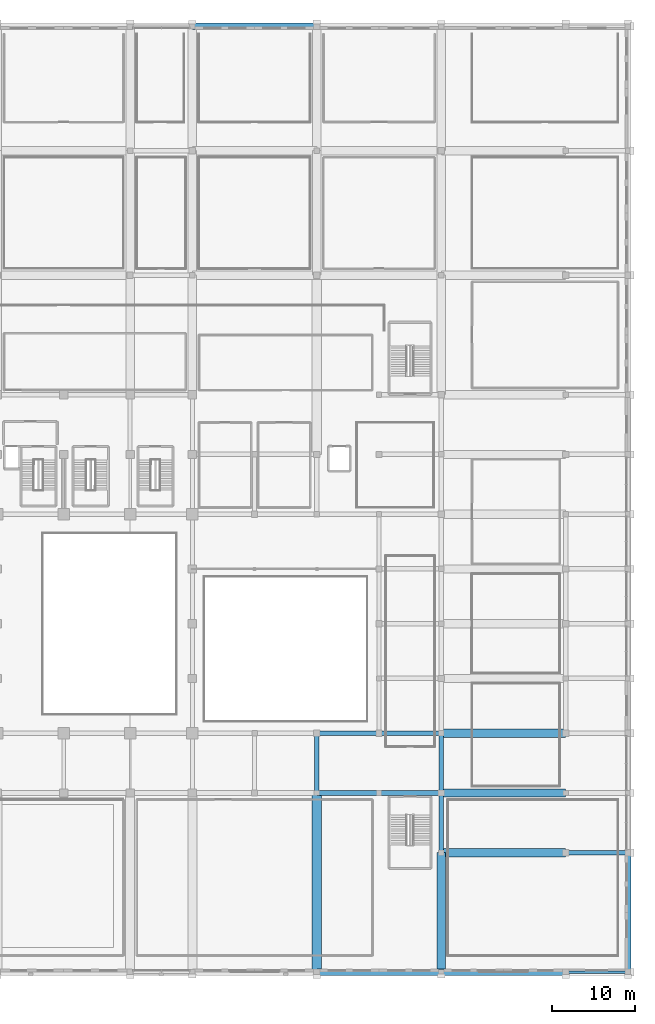
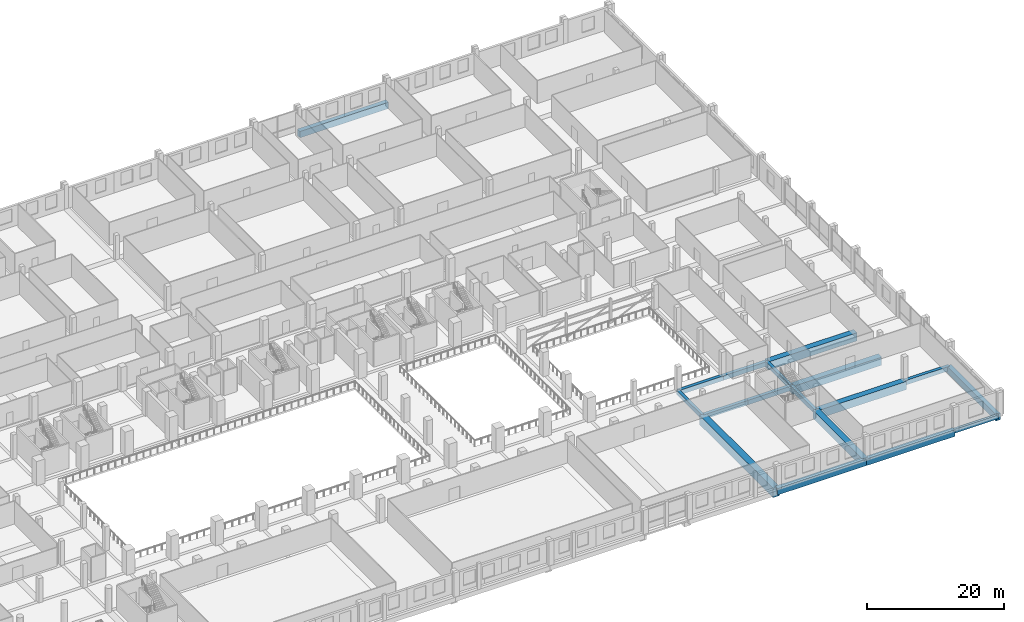
# One storey, part 31 of 64: 18 beams.
"""IFC4 building model written with IfcOpenShell, lengths in metres."""

from ifc_helpers import new_model, si_unit, direction, frame, origin, origin_2d, place, context, subcontext, project, spatial, rectangle, extrude, material, material_profile, profile_set, type_object, element, save


model = new_model("IFC4")

# Units and contexts
model_context = context("Model", 3, precision=1e-05, world=origin(), true_north=direction((0.0, 1.0)))
body_context = subcontext(model_context, "Body", "Model", "MODEL_VIEW")
ifc_project = project(units=[si_unit("LENGTHUNIT", "METRE"), si_unit("AREAUNIT", "SQUARE_METRE"), si_unit("VOLUMEUNIT", "CUBIC_METRE"), si_unit("PLANEANGLEUNIT", "RADIAN"), si_unit("MASSUNIT", "GRAM", prefix="KILO")], contexts=[model_context])

# Site, building, storey
site_placement = place(None, origin())
site = spatial("IfcSite", under=ifc_project, at=site_placement, CompositionType="ELEMENT")
building_placement = place(site_placement, origin())
building = spatial("IfcBuilding", under=site, at=building_placement, Name="Akrevak Sports Hall", CompositionType="ELEMENT")
storey_placement = place(building_placement, frame((0.0, 0.0, 4.60009765625)))
storey = spatial("IfcBuildingStorey", under=building, at=storey_placement, Name="L01", CompositionType="ELEMENT", Elevation=4.60009765625)

# Beams
ifc_material_1 = material(Name="Concrete C50/60", Category="concrete")
ifc_material_profile_1 = material_profile(ifc_material_1, rectangle(XDim=1.0, YDim=1.449951171875, at=origin_2d()), Name="BM 1000x1450", Category="concrete")
ifc_profile_set_1 = profile_set([ifc_material_profile_1], Name="Concrete C50/60")
beam_type_1 = type_object("IfcBeamType", Name="STR-BM-LG1000x1450", PredefinedType="BEAM", material=ifc_profile_set_1)
for number, where, z_axis, x_axis, name in (
    (1, (145.5, 14.39990234375, -0.72509765625), (1.0, 0.0, 0.0), (0.0, 1.0, 0.0), "Girder C/20-22 (L01)"),
    (2, (145.5, 21.60009765625, -0.72509765625), (1.0, 0.0, 0.0), (0.0, 1.0, 0.0), "Girder D/20-22 (L01)"),
    (3, (145.5, 28.800048828125, -0.72509765625), (1.0, 0.0, 0.0), (0.0, 1.0, 0.0), "Girder E/20-22 (L01)"),
):
    element("IfcBeam", number, at=place(storey_placement, frame(where, z_axis=z_axis, x_axis=x_axis)), inside=storey, type_object=beam_type_1, Name=name, PredefinedType="BEAM", context=body_context, shape_type="SweptSolid", body=[
        extrude(rectangle(XDim=1.0, YDim=1.449951171875, at=origin_2d()), origin(), (0.0, 0.0, 1.0), 15.0),
    ])
beam_1_placement = place(storey_placement, frame((145.5, 0.0, -0.72509765625), z_axis=(0.0, 1.0, 0.0), x_axis=(-1.0, 0.0, 0.0)))
element("IfcBeam", 4, at=beam_1_placement, inside=storey, type_object=beam_type_1, Name="Girder 20/A-C (L01)", PredefinedType="BEAM", context=body_context, shape_type="SweptSolid", body=[
    extrude(rectangle(XDim=1.0, YDim=1.449951171875, at=origin_2d()), origin(), (0.0, 0.0, 1.0), 14.39990234375),
])
ifc_material_profile_2 = material_profile(ifc_material_1, rectangle(XDim=1.10009765625, YDim=1.64990234375, at=origin_2d()), Name="BM 1100x1650", Category="concrete")
ifc_profile_set_2 = profile_set([ifc_material_profile_2], Name="Concrete C50/60")
beam_type_2 = type_object("IfcBeamType", Name="STR-BM-LG1100x1650", PredefinedType="BEAM", material=ifc_profile_set_2)
beam_2_placement = place(storey_placement, frame((130.5, 0.0, -0.8251953125), z_axis=(0.0, 1.0, 0.0), x_axis=(-1.0, 0.0, 0.0)))
element("IfcBeam", 5, at=beam_2_placement, inside=storey, type_object=beam_type_2, Name="Girder 18/A-D (L01)", PredefinedType="BEAM", context=body_context, shape_type="SweptSolid", body=[
    extrude(rectangle(XDim=1.10009765625, YDim=1.64990234375, at=origin_2d()), origin(), (0.0, 0.0, 1.0), 21.60009765625),
])
ifc_material_2 = material(Name="Concrete C40/50", Category="concrete")
ifc_material_profile_3 = material_profile(ifc_material_2, rectangle(XDim=0.5, YDim=0.75, at=origin_2d()), Name="BM 500x750", Category="concrete")
ifc_profile_set_3 = profile_set([ifc_material_profile_3], Name="Concrete C40/50")
beam_type_3 = type_object("IfcBeamType", Name="STR-BM-RC500x750", PredefinedType="BEAM", material=ifc_profile_set_3)
beam_3_placement = place(storey_placement, frame((130.5, 21.60009765625, -0.375), z_axis=(0.0, 1.0, 0.0), x_axis=(-1.0, 0.0, 0.0)))
element("IfcBeam", 6, at=beam_3_placement, inside=storey, type_object=beam_type_3, Name="Girder 18/D-E (L01)", PredefinedType="BEAM", context=body_context, shape_type="SweptSolid", body=[
    extrude(rectangle(XDim=0.5, YDim=0.75, at=origin_2d()), origin(), (0.0, 0.0, 1.0), 7.199951171875),
])
beam_4_placement = place(storey_placement, frame((145.5, 14.39990234375, -0.375), z_axis=(0.0, 1.0, 0.0), x_axis=(-1.0, 0.0, 0.0)))
element("IfcBeam", 7, at=beam_4_placement, inside=storey, type_object=beam_type_3, Name="Girder 20/C-D (L01)", PredefinedType="BEAM", context=body_context, shape_type="SweptSolid", body=[
    extrude(rectangle(XDim=0.5, YDim=0.75, at=origin_2d()), origin(), (0.0, 0.0, 1.0), 7.2001953125),
])
beam_5_placement = place(storey_placement, frame((145.5, 21.60009765625, -0.375), z_axis=(0.0, 1.0, 0.0), x_axis=(-1.0, 0.0, 0.0)))
element("IfcBeam", 8, at=beam_5_placement, inside=storey, type_object=beam_type_3, Name="Girder 20/D-E (L01)", PredefinedType="BEAM", context=body_context, shape_type="SweptSolid", body=[
    extrude(rectangle(XDim=0.5, YDim=0.75, at=origin_2d()), origin(), (0.0, 0.0, 1.0), 7.199951171875),
])
ifc_material_profile_4 = material_profile(ifc_material_2, rectangle(XDim=0.550048828125, YDim=0.800048828125, at=origin_2d()), Name="BM 550x800", Category="concrete")
ifc_profile_set_4 = profile_set([ifc_material_profile_4], Name="Concrete C40/50")
beam_type_4 = type_object("IfcBeamType", Name="STR-BM-RC550x800", PredefinedType="BEAM", material=ifc_profile_set_4)
for number, where, z_axis, x_axis, name in (
    (9, (160.5, 14.39990234375, -0.400146484375), (1.0, 0.0, 0.0), (0.0, 1.0, 0.0), "Girder C/22-23 (L01)"),
    (10, (130.5, 21.60009765625, -0.400146484375), (1.0, 0.0, 0.0), (0.0, 1.0, 0.0), "Girder D/18-19 (L01)"),
    (11, (138.0, 21.60009765625, -0.400146484375), (1.0, 0.0, 0.0), (0.0, 1.0, 0.0), "Girder D/19-20 (L01)"),
    (12, (130.5, 28.800048828125, -0.400146484375), (1.0, 0.0, 0.0), (0.0, 1.0, 0.0), "Girder E/18-19 (L01)"),
    (13, (138.0, 28.800048828125, -0.400146484375), (1.0, 0.0, 0.0), (0.0, 1.0, 0.0), "Girder E/19-20 (L01)"),
):
    element("IfcBeam", number, at=place(storey_placement, frame(where, z_axis=z_axis, x_axis=x_axis)), inside=storey, type_object=beam_type_4, Name=name, PredefinedType="BEAM", context=body_context, shape_type="SweptSolid", body=[
        extrude(rectangle(XDim=0.550048828125, YDim=0.800048828125, at=origin_2d()), origin(), (0.0, 0.0, 1.0), 7.5),
    ])
ifc_material_profile_5 = material_profile(ifc_material_1, rectangle(XDim=0.75, YDim=1.14990234375, at=origin_2d()), Name="SPD 750x1150", Category="concrete")
ifc_profile_set_5 = profile_set([ifc_material_profile_5], Name="Concrete C50/60")
beam_type_5 = type_object("IfcBeamType", Name="STR-SPD-LSP750x1150", PredefinedType="SPANDREL", material=ifc_profile_set_5)
for number, where, z_axis, x_axis, name in (
    (14, (130.5, 0.0, -0.5751953125), (1.0, 0.0, 0.0), (0.0, 1.0, 0.0), "Girder A/18-20 (L01)"),
    (15, (145.5, 0.0, -0.5751953125), (1.0, 0.0, 0.0), (0.0, 1.0, 0.0), "Girder A/20-22 (L01)"),
    (16, (115.5, 114.0, -0.5751953125), (1.0, 0.0, 0.0), (0.0, 1.0, 0.0), "Girder Q/16-18 (L01)"),
):
    element("IfcBeam", number, at=place(storey_placement, frame(where, z_axis=z_axis, x_axis=x_axis)), inside=storey, type_object=beam_type_5, Name=name, PredefinedType="SPANDREL", context=body_context, shape_type="SweptSolid", body=[
        extrude(rectangle(XDim=0.75, YDim=1.14990234375, at=origin_2d()), origin(), (0.0, 0.0, 1.0), 15.0),
    ])
beam_6_placement = place(storey_placement, frame((168.0, 0.0, -0.5751953125), z_axis=(0.0, 1.0, 0.0), x_axis=(-1.0, 0.0, 0.0)))
element("IfcBeam", 17, at=beam_6_placement, inside=storey, type_object=beam_type_5, Name="Girder 23/A-C (L01)", PredefinedType="SPANDREL", context=body_context, shape_type="SweptSolid", body=[
    extrude(rectangle(XDim=0.75, YDim=1.14990234375, at=origin_2d()), origin(), (0.0, 0.0, 1.0), 14.39990234375),
])
ifc_material_profile_6 = material_profile(ifc_material_2, rectangle(XDim=0.35009765625, YDim=0.75, at=origin_2d()), Name="SPD 350x750", Category="concrete")
ifc_profile_set_6 = profile_set([ifc_material_profile_6], Name="Concrete C40/50")
beam_type_6 = type_object("IfcBeamType", Name="STR-SPD-RC350x750", PredefinedType="SPANDREL", material=ifc_profile_set_6)
beam_7_placement = place(storey_placement, frame((160.5, 0.0, -0.375), z_axis=(1.0, 0.0, 0.0), x_axis=(0.0, 1.0, 0.0)))
element("IfcBeam", 18, at=beam_7_placement, inside=storey, type_object=beam_type_6, Name="Girder A/22-23 (L01)", PredefinedType="SPANDREL", context=body_context, shape_type="SweptSolid", body=[
    extrude(rectangle(XDim=0.35009765625, YDim=0.75, at=origin_2d()), origin(), (0.0, 0.0, 1.0), 7.5),
])

save(model, "model.ifc")
